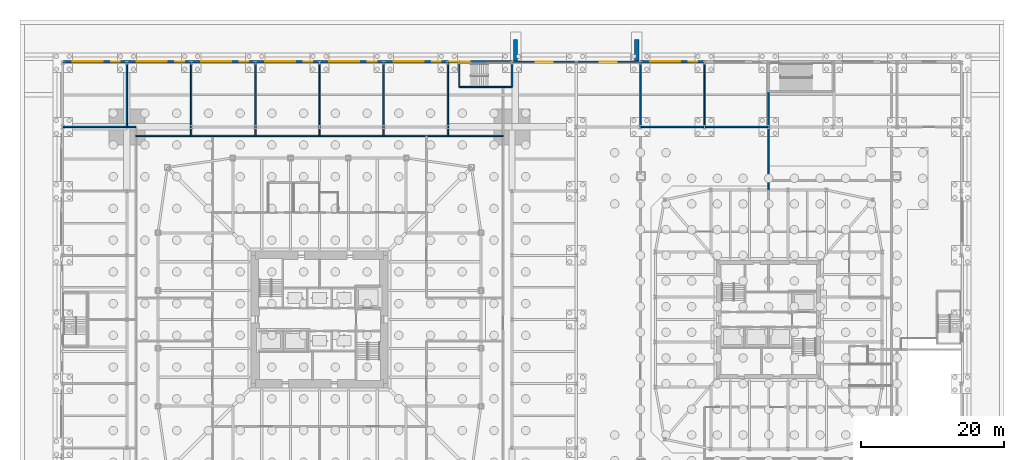
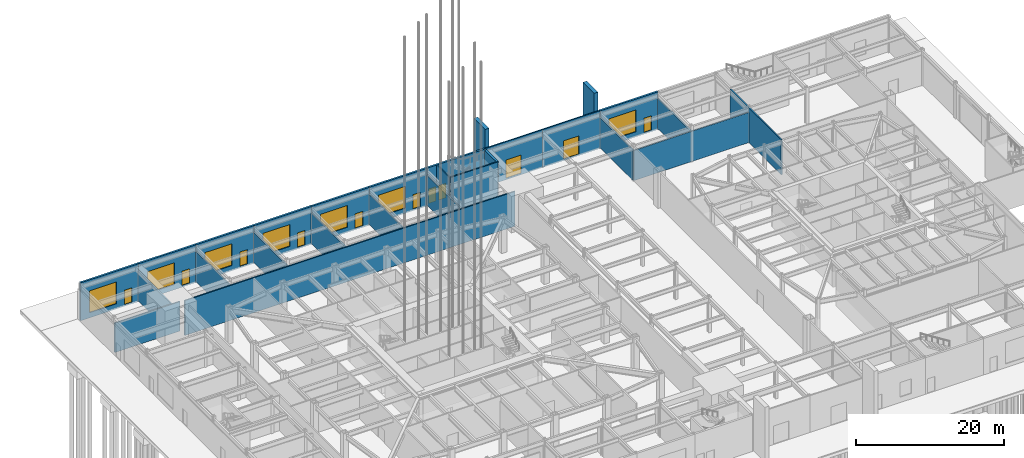
# One storey, part 19 of 37: 27 walls, 11 doors, 7 windows, 18 openings.
"""IFC4 building model written with IfcOpenShell, lengths in metres."""

from ifc_helpers import new_model, si_unit, direction, frame, frame_2d, origin, place, context, subcontext, project, spatial, rectangle, extrude, material, layer, layer_set, type_object, element, fill, save


model = new_model("IFC4")

# Units and contexts
model_context = context("Model", 3, precision=1e-05, world=origin(), true_north=direction((0.0, 1.0)))
body_context = subcontext(model_context, "Body", "Model", "MODEL_VIEW")
ifc_project = project(units=[si_unit("LENGTHUNIT", "METRE"), si_unit("AREAUNIT", "SQUARE_METRE"), si_unit("VOLUMEUNIT", "CUBIC_METRE"), si_unit("PLANEANGLEUNIT", "RADIAN"), si_unit("MASSUNIT", "GRAM", prefix="KILO")], contexts=[model_context])

# Site, building, storey
site_placement = place(None, origin())
site = spatial("IfcSite", under=ifc_project, at=site_placement, CompositionType="ELEMENT")
building_placement = place(site_placement, origin())
building = spatial("IfcBuilding", under=site, at=building_placement, Name="Iwan Alto Co-Living Towers", CompositionType="ELEMENT")
storey_placement = place(building_placement, origin())
storey = spatial("IfcBuildingStorey", under=building, at=storey_placement, Name="L00", CompositionType="ELEMENT", Elevation=0.0)

# Wall, opening, door
ifc_material_1 = material(Name="Bronze aluminium framed glazed screen", Category="aluminium")
ifc_layer_1 = layer(ifc_material_1, 0.199951171875)
ifc_layer_set_1 = layer_set([ifc_layer_1], Name="ENTRANCE SCREEN WALL 200")
wall_type_1 = type_object("IfcWallType", Name="ENTRANCE SCREEN WALL 200", PredefinedType="SOLIDWALL", material=ifc_layer_set_1)
wall_1_placement = place(storey_placement, frame((36.0, 36.14990234375, -0.25), z_axis=(0.0, 0.0, 1.0), x_axis=(-1.0, 0.0, 0.0)))
wall_1 = element("IfcWall", 1, at=wall_1_placement, inside=storey, type_object=wall_type_1, Name="Concourse entrance screen N", PredefinedType="SOLIDWALL", context=body_context, shape_type="SweptSolid", body=[
    extrude(rectangle(XDim=9.0, YDim=0.199951171875, at=frame_2d((4.5, 0.0))), origin(), (0.0, 0.0, 1.0), 6.25),
])
opening_1_placement = place(wall_1_placement, frame((3.300048828125, 0.0, 0.25)))
opening_1 = element("IfcOpeningElement", 2, at=opening_1_placement, cuts=wall_1, Name="Opening DE2", PredefinedType="OPENING", context=body_context, shape_type="SweptSolid", body=[
    extrude(rectangle(XDim=2.39990234375, YDim=3.0, at=frame_2d((1.199951171875, 1.5))), frame((0.0, 0.10986328125, 0.0), z_axis=(0.0, -1.0, 0.0), x_axis=(1.0, 0.0, 0.0)), (0.0, 0.0, 1.0), 0.219970703125),
])
ifc_material_2 = material(Name="Bronze aluminium glazed door", Category="aluminium")
door_type_1 = type_object("IfcDoorType", Name="ENTRANCE DOOR 2400X3000", OperationType="DOUBLE_DOOR_SINGLE_SWING", PredefinedType="DOOR", material=ifc_material_2)
door_1_placement = place(opening_1_placement, frame((2.39990234375, 0.0, 0.0), z_axis=(0.0, 0.0, 1.0), x_axis=(-1.0, 0.0, 0.0)))
door_1 = element("IfcDoor", 3, at=door_1_placement, inside=storey, type_object=door_type_1, Name="Concourse entrance N", OperationType="DOUBLE_DOOR_SINGLE_SWING", OverallHeight=3.0, OverallWidth=2.39990234375, PredefinedType="DOOR", context=body_context, shape_type="SweptSolid", body=[
    extrude(rectangle(XDim=2.39990234375, YDim=3.0, at=frame_2d((1.199951171875, 1.5))), frame((0.0, 0.02490234375, 0.0), z_axis=(0.0, -1.0, 0.0), x_axis=(1.0, 0.0, 0.0)), (0.0, 0.0, 1.0), 0.050048828125),
])
fill(opening_1, door_1)

wall_2_placement = place(storey_placement, frame((45.0, 36.14990234375, -0.25), z_axis=(0.0, 0.0, 1.0), x_axis=(-1.0, 0.0, 0.0)))
wall_2 = element("IfcWall", 4, at=wall_2_placement, inside=storey, type_object=wall_type_1, Name="Concourse entrance screen N", PredefinedType="SOLIDWALL", context=body_context, shape_type="SweptSolid", body=[
    extrude(rectangle(XDim=9.0, YDim=0.199951171875, at=frame_2d((4.5, 0.0))), origin(), (0.0, 0.0, 1.0), 6.25),
])
opening_2_placement = place(wall_2_placement, frame((3.300048828125, 0.0, 0.25)))
opening_2 = element("IfcOpeningElement", 5, at=opening_2_placement, cuts=wall_2, Name="Opening DE2", PredefinedType="OPENING", context=body_context, shape_type="SweptSolid", body=[
    extrude(rectangle(XDim=2.39990234375, YDim=3.0, at=frame_2d((1.199951171875, 1.5))), frame((0.0, 0.10986328125, 0.0), z_axis=(0.0, -1.0, 0.0), x_axis=(1.0, 0.0, 0.0)), (0.0, 0.0, 1.0), 0.219970703125),
])
door_2_placement = place(opening_2_placement, frame((2.39990234375, 0.0, 0.0), z_axis=(0.0, 0.0, 1.0), x_axis=(-1.0, 0.0, 0.0)))
door_2 = element("IfcDoor", 6, at=door_2_placement, inside=storey, type_object=door_type_1, Name="Concourse entrance N", OperationType="DOUBLE_DOOR_SINGLE_SWING", OverallHeight=3.0, OverallWidth=2.39990234375, PredefinedType="DOOR", context=body_context, shape_type="SweptSolid", body=[
    extrude(rectangle(XDim=2.39990234375, YDim=3.0, at=frame_2d((1.199951171875, 1.5))), frame((0.0, 0.02490234375, 0.0), z_axis=(0.0, -1.0, 0.0), x_axis=(1.0, 0.0, 0.0)), (0.0, 0.0, 1.0), 0.050048828125),
])
fill(opening_2, door_2)

# Walls
ifc_material_3 = material(Name="Fired clay brick facing", Category="masonry")
ifc_layer_2 = layer(ifc_material_3, 0.114990234375, Name="Brick facing", Category="Finish")
ifc_material_4 = material(Name="Concrete f'c 35 MPa", Category="concrete")
ifc_layer_3 = layer(ifc_material_4, 0.485107421875, Name="Reinforced concrete", Category="LoadBearing")
ifc_layer_set_2 = layer_set([ifc_layer_2, ifc_layer_3], Name="IWAN PORTAL WALL 600")
wall_type_2 = type_object("IfcWallType", Name="IWAN PORTAL WALL 600", PredefinedType="SOLIDWALL", material=ifc_layer_set_2)
for number, where, z_axis, x_axis, name in (
    (7, (27.505615234375, 36.25, -0.14990234375), (0.0, 0.0, 1.0), (0.0, 1.0, 0.0), "Iwan portal pier N 1"),
    (8, (44.494384765625, 36.25, -0.14990234375), (0.0, 0.0, 1.0), (0.0, 1.0, 0.0), "Iwan portal pier N 2"),
):
    element("IfcWall", number, at=place(storey_placement, frame(where, z_axis=z_axis, x_axis=x_axis)), inside=storey, type_object=wall_type_2, Name=name, PredefinedType="SOLIDWALL", context=body_context, shape_type="SweptSolid", body=[
        extrude(rectangle(XDim=3.050048828125, YDim=0.60009765625, at=frame_2d((1.52490234375, 0.0))), origin(), (0.0, 0.0, 1.0), 9.14990234375),
    ])

# Wall, openings, door, window
ifc_layer_4 = layer(ifc_material_3, 0.10009765625, Name="Brick facing", Category="Finish")
ifc_material_5 = material(Name="Concrete f'c 70 MPa", Category="concrete")
ifc_layer_5 = layer(ifc_material_5, 0.199951171875, Name="Reinforced concrete", Category="LoadBearing")
ifc_layer_set_3 = layer_set([ifc_layer_4, ifc_layer_5], Name="PODIUM BRICK WALL 300")
wall_type_3 = type_object("IfcWallType", Name="PODIUM BRICK WALL 300", PredefinedType="SOLIDWALL", material=ifc_layer_set_3)
wall_3_placement = place(storey_placement, frame((-27.0, 36.14990234375, -0.25), z_axis=(0.0, 0.0, 1.0), x_axis=(-1.0, 0.0, 0.0)))
wall_3 = element("IfcWall", 9, at=wall_3_placement, inside=storey, type_object=wall_type_3, Name="Podium wall N L00", PredefinedType="SOLIDWALL", context=body_context, shape_type="SweptSolid", body=[
    extrude(rectangle(XDim=9.0, YDim=0.300048828125, at=frame_2d((4.5, 0.0))), origin(), (0.0, 0.0, 1.0), 6.25),
])
opening_3_placement = place(wall_3_placement, frame((1.0, 0.0, 0.25)))
opening_3 = element("IfcOpeningElement", 10, at=opening_3_placement, cuts=wall_3, Name="Opening DE1", PredefinedType="OPENING", context=body_context, shape_type="SweptSolid", body=[
    extrude(rectangle(XDim=1.199951171875, YDim=2.39990234375, at=frame_2d((0.60009765625, 1.199951171875))), frame((0.0, 0.159912109375, 0.0), z_axis=(0.0, -1.0, 0.0), x_axis=(1.0, 0.0, 0.0)), (0.0, 0.0, 1.0), 0.320068359375),
])
opening_4_placement = place(wall_3_placement, frame((3.39990234375, 0.0, 0.85009765625)))
opening_4 = element("IfcOpeningElement", 11, at=opening_4_placement, cuts=wall_3, Name="Opening WN2", PredefinedType="OPENING", context=body_context, shape_type="SweptSolid", body=[
    extrude(rectangle(XDim=4.199951171875, YDim=3.60009765625, at=frame_2d((2.10009765625, 1.800048828125))), frame((0.0, 0.159912109375, 0.0), z_axis=(0.0, -1.0, 0.0), x_axis=(1.0, 0.0, 0.0)), (0.0, 0.0, 1.0), 0.320068359375),
])
ifc_material_6 = material(Name="Bronze aluminium glazed door", Category="aluminium")
door_type_2 = type_object("IfcDoorType", Name="SHOP DOOR 1200X2400", OperationType="SINGLE_SWING_LEFT", PredefinedType="DOOR", material=ifc_material_6)
door_3_placement = place(opening_3_placement, frame((1.199951171875, 0.0, 0.0), z_axis=(0.0, 0.0, 1.0), x_axis=(-1.0, 0.0, 0.0)))
door_3 = element("IfcDoor", 12, at=door_3_placement, inside=storey, type_object=door_type_2, Name="Shop door", OperationType="SINGLE_SWING_RIGHT", OverallHeight=2.39990234375, OverallWidth=1.199951171875, PredefinedType="DOOR", context=body_context, shape_type="SweptSolid", body=[
    extrude(rectangle(XDim=1.199951171875, YDim=2.39990234375, at=frame_2d((0.60009765625, 1.199951171875))), frame((0.0, 0.02490234375, 0.0), z_axis=(0.0, -1.0, 0.0), x_axis=(1.0, 0.0, 0.0)), (0.0, 0.0, 1.0), 0.050048828125),
])
fill(opening_3, door_3)
ifc_material_7 = material(Name="Bronze aluminium shopfront frame", Category="aluminium")
window_type = type_object("IfcWindowType", Name="WN2 SHOPFRONT 4200X3600", PartitioningType="SINGLE_PANEL", PredefinedType="WINDOW", material=ifc_material_7)
window_1_placement = place(opening_4_placement, origin())
window_1 = element("IfcWindow", 13, at=window_1_placement, inside=storey, type_object=window_type, Name="Shopfront", OverallHeight=3.60009765625, OverallWidth=4.199951171875, PartitioningType="SINGLE_PANEL", PredefinedType="WINDOW", context=body_context, shape_type="SweptSolid", body=[
    extrude(rectangle(XDim=4.199951171875, YDim=3.60009765625, at=frame_2d((2.10009765625, 1.800048828125))), frame((0.0, 0.030029296875, 0.0), z_axis=(0.0, -1.0, 0.0), x_axis=(1.0, 0.0, 0.0)), (0.0, 0.0, 1.0), 0.06005859375),
])
fill(opening_4, window_1)

wall_4_placement = place(storey_placement, frame((-18.0, 36.14990234375, -0.25), z_axis=(0.0, 0.0, 1.0), x_axis=(-1.0, 0.0, 0.0)))
wall_4 = element("IfcWall", 14, at=wall_4_placement, inside=storey, type_object=wall_type_3, Name="Podium wall N L00", PredefinedType="SOLIDWALL", context=body_context, shape_type="SweptSolid", body=[
    extrude(rectangle(XDim=9.0, YDim=0.300048828125, at=frame_2d((4.5, 0.0))), origin(), (0.0, 0.0, 1.0), 6.25),
])
opening_5_placement = place(wall_4_placement, frame((1.0, 0.0, 0.25)))
opening_5 = element("IfcOpeningElement", 15, at=opening_5_placement, cuts=wall_4, Name="Opening DE1", PredefinedType="OPENING", context=body_context, shape_type="SweptSolid", body=[
    extrude(rectangle(XDim=1.199951171875, YDim=2.39990234375, at=frame_2d((0.60009765625, 1.199951171875))), frame((0.0, 0.159912109375, 0.0), z_axis=(0.0, -1.0, 0.0), x_axis=(1.0, 0.0, 0.0)), (0.0, 0.0, 1.0), 0.320068359375),
])
opening_6_placement = place(wall_4_placement, frame((3.39990234375, 0.0, 0.85009765625)))
opening_6 = element("IfcOpeningElement", 16, at=opening_6_placement, cuts=wall_4, Name="Opening WN2", PredefinedType="OPENING", context=body_context, shape_type="SweptSolid", body=[
    extrude(rectangle(XDim=4.199951171875, YDim=3.60009765625, at=frame_2d((2.10009765625, 1.800048828125))), frame((0.0, 0.159912109375, 0.0), z_axis=(0.0, -1.0, 0.0), x_axis=(1.0, 0.0, 0.0)), (0.0, 0.0, 1.0), 0.320068359375),
])
door_4_placement = place(opening_5_placement, frame((1.199951171875, 0.0, 0.0), z_axis=(0.0, 0.0, 1.0), x_axis=(-1.0, 0.0, 0.0)))
door_4 = element("IfcDoor", 17, at=door_4_placement, inside=storey, type_object=door_type_2, Name="Shop door", OperationType="SINGLE_SWING_RIGHT", OverallHeight=2.39990234375, OverallWidth=1.199951171875, PredefinedType="DOOR", context=body_context, shape_type="SweptSolid", body=[
    extrude(rectangle(XDim=1.199951171875, YDim=2.39990234375, at=frame_2d((0.60009765625, 1.199951171875))), frame((0.0, 0.02490234375, 0.0), z_axis=(0.0, -1.0, 0.0), x_axis=(1.0, 0.0, 0.0)), (0.0, 0.0, 1.0), 0.050048828125),
])
fill(opening_5, door_4)
window_2_placement = place(opening_6_placement, origin())
window_2 = element("IfcWindow", 18, at=window_2_placement, inside=storey, type_object=window_type, Name="Shopfront", OverallHeight=3.60009765625, OverallWidth=4.199951171875, PartitioningType="SINGLE_PANEL", PredefinedType="WINDOW", context=body_context, shape_type="SweptSolid", body=[
    extrude(rectangle(XDim=4.199951171875, YDim=3.60009765625, at=frame_2d((2.10009765625, 1.800048828125))), frame((0.0, 0.030029296875, 0.0), z_axis=(0.0, -1.0, 0.0), x_axis=(1.0, 0.0, 0.0)), (0.0, 0.0, 1.0), 0.06005859375),
])
fill(opening_6, window_2)

wall_5_placement = place(storey_placement, frame((-9.0, 36.14990234375, -0.25), z_axis=(0.0, 0.0, 1.0), x_axis=(-1.0, 0.0, 0.0)))
wall_5 = element("IfcWall", 19, at=wall_5_placement, inside=storey, type_object=wall_type_3, Name="Podium wall N L00", PredefinedType="SOLIDWALL", context=body_context, shape_type="SweptSolid", body=[
    extrude(rectangle(XDim=9.0, YDim=0.300048828125, at=frame_2d((4.5, 0.0))), origin(), (0.0, 0.0, 1.0), 6.25),
])
opening_7_placement = place(wall_5_placement, frame((1.0, 0.0, 0.25)))
opening_7 = element("IfcOpeningElement", 20, at=opening_7_placement, cuts=wall_5, Name="Opening DE1", PredefinedType="OPENING", context=body_context, shape_type="SweptSolid", body=[
    extrude(rectangle(XDim=1.199951171875, YDim=2.39990234375, at=frame_2d((0.60009765625, 1.199951171875))), frame((0.0, 0.159912109375, 0.0), z_axis=(0.0, -1.0, 0.0), x_axis=(1.0, 0.0, 0.0)), (0.0, 0.0, 1.0), 0.320068359375),
])
opening_8_placement = place(wall_5_placement, frame((3.39990234375, 0.0, 0.85009765625)))
opening_8 = element("IfcOpeningElement", 21, at=opening_8_placement, cuts=wall_5, Name="Opening WN2", PredefinedType="OPENING", context=body_context, shape_type="SweptSolid", body=[
    extrude(rectangle(XDim=4.199951171875, YDim=3.60009765625, at=frame_2d((2.10009765625, 1.800048828125))), frame((0.0, 0.159912109375, 0.0), z_axis=(0.0, -1.0, 0.0), x_axis=(1.0, 0.0, 0.0)), (0.0, 0.0, 1.0), 0.320068359375),
])
door_5_placement = place(opening_7_placement, frame((1.199951171875, 0.0, 0.0), z_axis=(0.0, 0.0, 1.0), x_axis=(-1.0, 0.0, 0.0)))
door_5 = element("IfcDoor", 22, at=door_5_placement, inside=storey, type_object=door_type_2, Name="Shop door", OperationType="SINGLE_SWING_RIGHT", OverallHeight=2.39990234375, OverallWidth=1.199951171875, PredefinedType="DOOR", context=body_context, shape_type="SweptSolid", body=[
    extrude(rectangle(XDim=1.199951171875, YDim=2.39990234375, at=frame_2d((0.60009765625, 1.199951171875))), frame((0.0, 0.02490234375, 0.0), z_axis=(0.0, -1.0, 0.0), x_axis=(1.0, 0.0, 0.0)), (0.0, 0.0, 1.0), 0.050048828125),
])
fill(opening_7, door_5)
window_3_placement = place(opening_8_placement, origin())
window_3 = element("IfcWindow", 23, at=window_3_placement, inside=storey, type_object=window_type, Name="Shopfront", OverallHeight=3.60009765625, OverallWidth=4.199951171875, PartitioningType="SINGLE_PANEL", PredefinedType="WINDOW", context=body_context, shape_type="SweptSolid", body=[
    extrude(rectangle(XDim=4.199951171875, YDim=3.60009765625, at=frame_2d((2.10009765625, 1.800048828125))), frame((0.0, 0.030029296875, 0.0), z_axis=(0.0, -1.0, 0.0), x_axis=(1.0, 0.0, 0.0)), (0.0, 0.0, 1.0), 0.06005859375),
])
fill(opening_8, window_3)

wall_6_placement = place(storey_placement, frame((0.0, 36.14990234375, -0.25), z_axis=(0.0, 0.0, 1.0), x_axis=(-1.0, 0.0, 0.0)))
wall_6 = element("IfcWall", 24, at=wall_6_placement, inside=storey, type_object=wall_type_3, Name="Podium wall N L00", PredefinedType="SOLIDWALL", context=body_context, shape_type="SweptSolid", body=[
    extrude(rectangle(XDim=9.0, YDim=0.300048828125, at=frame_2d((4.5, 0.0))), origin(), (0.0, 0.0, 1.0), 6.25),
])
opening_9_placement = place(wall_6_placement, frame((1.0, 0.0, 0.25)))
opening_9 = element("IfcOpeningElement", 25, at=opening_9_placement, cuts=wall_6, Name="Opening DE1", PredefinedType="OPENING", context=body_context, shape_type="SweptSolid", body=[
    extrude(rectangle(XDim=1.199951171875, YDim=2.39990234375, at=frame_2d((0.60009765625, 1.199951171875))), frame((0.0, 0.159912109375, 0.0), z_axis=(0.0, -1.0, 0.0), x_axis=(1.0, 0.0, 0.0)), (0.0, 0.0, 1.0), 0.320068359375),
])
opening_10_placement = place(wall_6_placement, frame((3.39990234375, 0.0, 0.85009765625)))
opening_10 = element("IfcOpeningElement", 26, at=opening_10_placement, cuts=wall_6, Name="Opening WN2", PredefinedType="OPENING", context=body_context, shape_type="SweptSolid", body=[
    extrude(rectangle(XDim=4.199951171875, YDim=3.60009765625, at=frame_2d((2.10009765625, 1.800048828125))), frame((0.0, 0.159912109375, 0.0), z_axis=(0.0, -1.0, 0.0), x_axis=(1.0, 0.0, 0.0)), (0.0, 0.0, 1.0), 0.320068359375),
])
door_6_placement = place(opening_9_placement, frame((1.199951171875, 0.0, 0.0), z_axis=(0.0, 0.0, 1.0), x_axis=(-1.0, 0.0, 0.0)))
door_6 = element("IfcDoor", 27, at=door_6_placement, inside=storey, type_object=door_type_2, Name="Shop door", OperationType="SINGLE_SWING_RIGHT", OverallHeight=2.39990234375, OverallWidth=1.199951171875, PredefinedType="DOOR", context=body_context, shape_type="SweptSolid", body=[
    extrude(rectangle(XDim=1.199951171875, YDim=2.39990234375, at=frame_2d((0.60009765625, 1.199951171875))), frame((0.0, 0.02490234375, 0.0), z_axis=(0.0, -1.0, 0.0), x_axis=(1.0, 0.0, 0.0)), (0.0, 0.0, 1.0), 0.050048828125),
])
fill(opening_9, door_6)
window_4_placement = place(opening_10_placement, origin())
window_4 = element("IfcWindow", 28, at=window_4_placement, inside=storey, type_object=window_type, Name="Shopfront", OverallHeight=3.60009765625, OverallWidth=4.199951171875, PartitioningType="SINGLE_PANEL", PredefinedType="WINDOW", context=body_context, shape_type="SweptSolid", body=[
    extrude(rectangle(XDim=4.199951171875, YDim=3.60009765625, at=frame_2d((2.10009765625, 1.800048828125))), frame((0.0, 0.030029296875, 0.0), z_axis=(0.0, -1.0, 0.0), x_axis=(1.0, 0.0, 0.0)), (0.0, 0.0, 1.0), 0.06005859375),
])
fill(opening_10, window_4)

wall_7_placement = place(storey_placement, frame((9.0, 36.14990234375, -0.25), z_axis=(0.0, 0.0, 1.0), x_axis=(-1.0, 0.0, 0.0)))
wall_7 = element("IfcWall", 29, at=wall_7_placement, inside=storey, type_object=wall_type_3, Name="Podium wall N L00", PredefinedType="SOLIDWALL", context=body_context, shape_type="SweptSolid", body=[
    extrude(rectangle(XDim=9.0, YDim=0.300048828125, at=frame_2d((4.5, 0.0))), origin(), (0.0, 0.0, 1.0), 6.25),
])
opening_11_placement = place(wall_7_placement, frame((1.0, 0.0, 0.25)))
opening_11 = element("IfcOpeningElement", 30, at=opening_11_placement, cuts=wall_7, Name="Opening DE1", PredefinedType="OPENING", context=body_context, shape_type="SweptSolid", body=[
    extrude(rectangle(XDim=1.199951171875, YDim=2.39990234375, at=frame_2d((0.60009765625, 1.199951171875))), frame((0.0, 0.159912109375, 0.0), z_axis=(0.0, -1.0, 0.0), x_axis=(1.0, 0.0, 0.0)), (0.0, 0.0, 1.0), 0.320068359375),
])
opening_12_placement = place(wall_7_placement, frame((3.39990234375, 0.0, 0.85009765625)))
opening_12 = element("IfcOpeningElement", 31, at=opening_12_placement, cuts=wall_7, Name="Opening WN2", PredefinedType="OPENING", context=body_context, shape_type="SweptSolid", body=[
    extrude(rectangle(XDim=4.199951171875, YDim=3.60009765625, at=frame_2d((2.10009765625, 1.800048828125))), frame((0.0, 0.159912109375, 0.0), z_axis=(0.0, -1.0, 0.0), x_axis=(1.0, 0.0, 0.0)), (0.0, 0.0, 1.0), 0.320068359375),
])
door_7_placement = place(opening_11_placement, frame((1.199951171875, 0.0, 0.0), z_axis=(0.0, 0.0, 1.0), x_axis=(-1.0, 0.0, 0.0)))
door_7 = element("IfcDoor", 32, at=door_7_placement, inside=storey, type_object=door_type_2, Name="Shop door", OperationType="SINGLE_SWING_RIGHT", OverallHeight=2.39990234375, OverallWidth=1.199951171875, PredefinedType="DOOR", context=body_context, shape_type="SweptSolid", body=[
    extrude(rectangle(XDim=1.199951171875, YDim=2.39990234375, at=frame_2d((0.60009765625, 1.199951171875))), frame((0.0, 0.02490234375, 0.0), z_axis=(0.0, -1.0, 0.0), x_axis=(1.0, 0.0, 0.0)), (0.0, 0.0, 1.0), 0.050048828125),
])
fill(opening_11, door_7)
window_5_placement = place(opening_12_placement, origin())
window_5 = element("IfcWindow", 33, at=window_5_placement, inside=storey, type_object=window_type, Name="Shopfront", OverallHeight=3.60009765625, OverallWidth=4.199951171875, PartitioningType="SINGLE_PANEL", PredefinedType="WINDOW", context=body_context, shape_type="SweptSolid", body=[
    extrude(rectangle(XDim=4.199951171875, YDim=3.60009765625, at=frame_2d((2.10009765625, 1.800048828125))), frame((0.0, 0.030029296875, 0.0), z_axis=(0.0, -1.0, 0.0), x_axis=(1.0, 0.0, 0.0)), (0.0, 0.0, 1.0), 0.06005859375),
])
fill(opening_12, window_5)

wall_8_placement = place(storey_placement, frame((18.0, 36.14990234375, -0.25), z_axis=(0.0, 0.0, 1.0), x_axis=(-1.0, 0.0, 0.0)))
wall_8 = element("IfcWall", 34, at=wall_8_placement, inside=storey, type_object=wall_type_3, Name="Podium wall N L00", PredefinedType="SOLIDWALL", context=body_context, shape_type="SweptSolid", body=[
    extrude(rectangle(XDim=9.0, YDim=0.300048828125, at=frame_2d((4.5, 0.0))), origin(), (0.0, 0.0, 1.0), 6.25),
])
opening_13_placement = place(wall_8_placement, frame((1.0, 0.0, 0.25)))
opening_13 = element("IfcOpeningElement", 35, at=opening_13_placement, cuts=wall_8, Name="Opening DE1", PredefinedType="OPENING", context=body_context, shape_type="SweptSolid", body=[
    extrude(rectangle(XDim=1.199951171875, YDim=2.39990234375, at=frame_2d((0.60009765625, 1.199951171875))), frame((0.0, 0.159912109375, 0.0), z_axis=(0.0, -1.0, 0.0), x_axis=(1.0, 0.0, 0.0)), (0.0, 0.0, 1.0), 0.320068359375),
])
opening_14_placement = place(wall_8_placement, frame((3.39990234375, 0.0, 0.85009765625)))
opening_14 = element("IfcOpeningElement", 36, at=opening_14_placement, cuts=wall_8, Name="Opening WN2", PredefinedType="OPENING", context=body_context, shape_type="SweptSolid", body=[
    extrude(rectangle(XDim=4.199951171875, YDim=3.60009765625, at=frame_2d((2.10009765625, 1.800048828125))), frame((0.0, 0.159912109375, 0.0), z_axis=(0.0, -1.0, 0.0), x_axis=(1.0, 0.0, 0.0)), (0.0, 0.0, 1.0), 0.320068359375),
])
door_8_placement = place(opening_13_placement, frame((1.199951171875, 0.0, 0.0), z_axis=(0.0, 0.0, 1.0), x_axis=(-1.0, 0.0, 0.0)))
door_8 = element("IfcDoor", 37, at=door_8_placement, inside=storey, type_object=door_type_2, Name="Shop door", OperationType="SINGLE_SWING_RIGHT", OverallHeight=2.39990234375, OverallWidth=1.199951171875, PredefinedType="DOOR", context=body_context, shape_type="SweptSolid", body=[
    extrude(rectangle(XDim=1.199951171875, YDim=2.39990234375, at=frame_2d((0.60009765625, 1.199951171875))), frame((0.0, 0.02490234375, 0.0), z_axis=(0.0, -1.0, 0.0), x_axis=(1.0, 0.0, 0.0)), (0.0, 0.0, 1.0), 0.050048828125),
])
fill(opening_13, door_8)
window_6_placement = place(opening_14_placement, origin())
window_6 = element("IfcWindow", 38, at=window_6_placement, inside=storey, type_object=window_type, Name="Shopfront", OverallHeight=3.60009765625, OverallWidth=4.199951171875, PartitioningType="SINGLE_PANEL", PredefinedType="WINDOW", context=body_context, shape_type="SweptSolid", body=[
    extrude(rectangle(XDim=4.199951171875, YDim=3.60009765625, at=frame_2d((2.10009765625, 1.800048828125))), frame((0.0, 0.030029296875, 0.0), z_axis=(0.0, -1.0, 0.0), x_axis=(1.0, 0.0, 0.0)), (0.0, 0.0, 1.0), 0.06005859375),
])
fill(opening_14, window_6)

# Wall, openings, doors
wall_9_placement = place(storey_placement, frame((27.0, 36.14990234375, -0.25), z_axis=(0.0, 0.0, 1.0), x_axis=(-1.0, 0.0, 0.0)))
wall_9 = element("IfcWall", 39, at=wall_9_placement, inside=storey, type_object=wall_type_3, Name="Podium wall N L00", PredefinedType="SOLIDWALL", context=body_context, shape_type="SweptSolid", body=[
    extrude(rectangle(XDim=9.0, YDim=0.300048828125, at=frame_2d((4.5, 0.0))), origin(), (0.0, 0.0, 1.0), 6.25),
])
opening_15_placement = place(wall_9_placement, frame((7.5, 0.0, 0.25)))
opening_15 = element("IfcOpeningElement", 40, at=opening_15_placement, cuts=wall_9, Name="Opening DE1", PredefinedType="OPENING", context=body_context, shape_type="SweptSolid", body=[
    extrude(rectangle(XDim=1.199951171875, YDim=2.39990234375, at=frame_2d((0.60009765625, 1.199951171875))), frame((0.0, 0.159912109375, 0.0), z_axis=(0.0, -1.0, 0.0), x_axis=(1.0, 0.0, 0.0)), (0.0, 0.0, 1.0), 0.320068359375),
])
opening_16_placement = place(wall_9_placement, frame((5.949951171875, 0.0, 0.25)))
opening_16 = element("IfcOpeningElement", 41, at=opening_16_placement, cuts=wall_9, Name="Opening DE3", PredefinedType="OPENING", context=body_context, shape_type="SweptSolid", body=[
    extrude(rectangle(XDim=1.199951171875, YDim=2.39990234375, at=frame_2d((0.60009765625, 1.199951171875))), frame((0.0, 0.159912109375, 0.0), z_axis=(0.0, -1.0, 0.0), x_axis=(1.0, 0.0, 0.0)), (0.0, 0.0, 1.0), 0.320068359375),
])
ifc_material_8 = material(Name="Steel door", Category="steel")
door_type_3 = type_object("IfcDoorType", Name="EXIT DOOR FD60 1200X2400", OperationType="SINGLE_SWING_LEFT", PredefinedType="DOOR", material=ifc_material_8)
door_9_placement = place(opening_16_placement, frame((1.199951171875, 0.0, 0.0), z_axis=(0.0, 0.0, 1.0), x_axis=(-1.0, 0.0, 0.0)))
door_9 = element("IfcDoor", 42, at=door_9_placement, inside=storey, type_object=door_type_3, Name="Stair PS3 exit door", OperationType="SINGLE_SWING_LEFT", OverallHeight=2.39990234375, OverallWidth=1.199951171875, PredefinedType="DOOR", context=body_context, shape_type="SweptSolid", body=[
    extrude(rectangle(XDim=1.199951171875, YDim=2.39990234375, at=frame_2d((0.60009765625, 1.199951171875))), frame((0.0, 0.02490234375, 0.0), z_axis=(0.0, -1.0, 0.0), x_axis=(1.0, 0.0, 0.0)), (0.0, 0.0, 1.0), 0.050048828125),
])
fill(opening_16, door_9)
door_10_placement = place(opening_15_placement, frame((1.199951171875, 0.0, 0.0), z_axis=(0.0, 0.0, 1.0), x_axis=(-1.0, 0.0, 0.0)))
door_10 = element("IfcDoor", 43, at=door_10_placement, inside=storey, type_object=door_type_2, Name="Shop door", OperationType="SINGLE_SWING_LEFT", OverallHeight=2.39990234375, OverallWidth=1.199951171875, PredefinedType="DOOR", context=body_context, shape_type="SweptSolid", body=[
    extrude(rectangle(XDim=1.199951171875, YDim=2.39990234375, at=frame_2d((0.60009765625, 1.199951171875))), frame((0.0, 0.02490234375, 0.0), z_axis=(0.0, -1.0, 0.0), x_axis=(1.0, 0.0, 0.0)), (0.0, 0.0, 1.0), 0.050048828125),
])
fill(opening_15, door_10)

# Wall, openings, door, window
wall_10_placement = place(storey_placement, frame((54.0, 36.14990234375, -0.25), z_axis=(0.0, 0.0, 1.0), x_axis=(-1.0, 0.0, 0.0)))
wall_10 = element("IfcWall", 44, at=wall_10_placement, inside=storey, type_object=wall_type_3, Name="Podium wall N L00", PredefinedType="SOLIDWALL", context=body_context, shape_type="SweptSolid", body=[
    extrude(rectangle(XDim=9.0, YDim=0.300048828125, at=frame_2d((4.5, 0.0))), origin(), (0.0, 0.0, 1.0), 6.25),
])
opening_17_placement = place(wall_10_placement, frame((1.0, 0.0, 0.25)))
opening_17 = element("IfcOpeningElement", 45, at=opening_17_placement, cuts=wall_10, Name="Opening DE1", PredefinedType="OPENING", context=body_context, shape_type="SweptSolid", body=[
    extrude(rectangle(XDim=1.199951171875, YDim=2.39990234375, at=frame_2d((0.60009765625, 1.199951171875))), frame((0.0, 0.159912109375, 0.0), z_axis=(0.0, -1.0, 0.0), x_axis=(1.0, 0.0, 0.0)), (0.0, 0.0, 1.0), 0.320068359375),
])
opening_18_placement = place(wall_10_placement, frame((3.39990234375, 0.0, 0.85009765625)))
opening_18 = element("IfcOpeningElement", 46, at=opening_18_placement, cuts=wall_10, Name="Opening WN2", PredefinedType="OPENING", context=body_context, shape_type="SweptSolid", body=[
    extrude(rectangle(XDim=4.199951171875, YDim=3.60009765625, at=frame_2d((2.10009765625, 1.800048828125))), frame((0.0, 0.159912109375, 0.0), z_axis=(0.0, -1.0, 0.0), x_axis=(1.0, 0.0, 0.0)), (0.0, 0.0, 1.0), 0.320068359375),
])
door_11_placement = place(opening_17_placement, frame((1.199951171875, 0.0, 0.0), z_axis=(0.0, 0.0, 1.0), x_axis=(-1.0, 0.0, 0.0)))
door_11 = element("IfcDoor", 47, at=door_11_placement, inside=storey, type_object=door_type_2, Name="Shop door", OperationType="SINGLE_SWING_RIGHT", OverallHeight=2.39990234375, OverallWidth=1.199951171875, PredefinedType="DOOR", context=body_context, shape_type="SweptSolid", body=[
    extrude(rectangle(XDim=1.199951171875, YDim=2.39990234375, at=frame_2d((0.60009765625, 1.199951171875))), frame((0.0, 0.02490234375, 0.0), z_axis=(0.0, -1.0, 0.0), x_axis=(1.0, 0.0, 0.0)), (0.0, 0.0, 1.0), 0.050048828125),
])
fill(opening_17, door_11)
window_7_placement = place(opening_18_placement, origin())
window_7 = element("IfcWindow", 48, at=window_7_placement, inside=storey, type_object=window_type, Name="Shopfront", OverallHeight=3.60009765625, OverallWidth=4.199951171875, PartitioningType="SINGLE_PANEL", PredefinedType="WINDOW", context=body_context, shape_type="SweptSolid", body=[
    extrude(rectangle(XDim=4.199951171875, YDim=3.60009765625, at=frame_2d((2.10009765625, 1.800048828125))), frame((0.0, 0.030029296875, 0.0), z_axis=(0.0, -1.0, 0.0), x_axis=(1.0, 0.0, 0.0)), (0.0, 0.0, 1.0), 0.06005859375),
])
fill(opening_18, window_7)

# Walls
ifc_material_9 = material(Name="Concrete block masonry f*p 10 MPa", Category="masonry")
ifc_layer_6 = layer(ifc_material_9, 0.199951171875)
ifc_layer_set_4 = layer_set([ifc_layer_6], Name="PODIUM INTERNAL WALL 200")
wall_type_4 = type_object("IfcWallType", Name="PODIUM INTERNAL WALL 200", PredefinedType="SOLIDWALL", material=ifc_layer_set_4)
wall_11_placement = place(storey_placement, frame((-25.75, 25.75, 0.0), z_axis=(0.0, 0.0, 1.0), x_axis=(1.0, 0.0, 0.0)))
element("IfcWall", 49, at=wall_11_placement, inside=storey, type_object=wall_type_4, Name="Partition L00", PredefinedType="SOLIDWALL", context=body_context, shape_type="SweptSolid", body=[
    extrude(rectangle(XDim=51.5, YDim=0.199951171875, at=frame_2d((25.75, 0.0))), origin(), (0.0, 0.0, 1.0), 5.75),
])
wall_12_placement = place(storey_placement, frame((-35.93994140625, 27.0, 0.0), z_axis=(0.0, 0.0, 1.0), x_axis=(1.0, 0.0, 0.0)))
element("IfcWall", 50, at=wall_12_placement, inside=storey, type_object=wall_type_4, Name="Partition L00", PredefinedType="SOLIDWALL", context=body_context, shape_type="SweptSolid", body=[
    extrude(rectangle(XDim=10.18994140625, YDim=0.199951171875, at=frame_2d((5.094970703125, 0.0))), origin(), (0.0, 0.0, 1.0), 4.85009765625),
])
wall_13_placement = place(storey_placement, frame((45.0, 27.0, 0.0), z_axis=(0.0, 0.0, 1.0), x_axis=(1.0, 0.0, 0.0)))
element("IfcWall", 51, at=wall_13_placement, inside=storey, type_object=wall_type_4, Name="Partition L00", PredefinedType="SOLIDWALL", context=body_context, shape_type="SweptSolid", body=[
    extrude(rectangle(XDim=18.0, YDim=0.199951171875, at=frame_2d((9.0, 0.0))), origin(), (0.0, 0.0, 1.0), 4.98046875),
])
wall_14_placement = place(storey_placement, frame((54.0, 27.0, 0.0), z_axis=(0.0, 0.0, 1.0), x_axis=(0.0, 1.0, 0.0)))
element("IfcWall", 52, at=wall_14_placement, inside=storey, type_object=wall_type_4, Name="Partition L00", PredefinedType="SOLIDWALL", context=body_context, shape_type="SweptSolid", body=[
    extrude(rectangle(XDim=8.93994140625, YDim=0.199951171875, at=frame_2d((4.469970703125, 0.0))), origin(), (0.0, 0.0, 1.0), 4.98046875),
])
for number, where, z_axis, x_axis, name in (
    (53, (18.0, 25.75, 0.0), (0.0, 0.0, 1.0), (0.0, 1.0, 0.0), "Partition L00"),
    (54, (9.0, 25.75, 0.0), (0.0, 0.0, 1.0), (0.0, 1.0, 0.0), "Partition L00"),
    (55, (0.0, 25.75, 0.0), (0.0, 0.0, 1.0), (0.0, 1.0, 0.0), "Partition L00"),
    (56, (-9.0, 25.75, 0.0), (0.0, 0.0, 1.0), (0.0, 1.0, 0.0), "Partition L00"),
    (57, (-18.0, 25.75, 0.0), (0.0, 0.0, 1.0), (0.0, 1.0, 0.0), "Partition L00"),
):
    element("IfcWall", number, at=place(storey_placement, frame(where, z_axis=z_axis, x_axis=x_axis)), inside=storey, type_object=wall_type_4, Name=name, PredefinedType="SOLIDWALL", context=body_context, shape_type="SweptSolid", body=[
        extrude(rectangle(XDim=10.18994140625, YDim=0.199951171875, at=frame_2d((5.094970703125, 0.0))), origin(), (0.0, 0.0, 1.0), 4.98046875),
    ])
wall_15_placement = place(storey_placement, frame((-27.0, 27.0, 0.0), z_axis=(0.0, 0.0, 1.0), x_axis=(0.0, 1.0, 0.0)))
element("IfcWall", 58, at=wall_15_placement, inside=storey, type_object=wall_type_4, Name="Partition L00", PredefinedType="SOLIDWALL", context=body_context, shape_type="SweptSolid", body=[
    extrude(rectangle(XDim=8.93994140625, YDim=0.199951171875, at=frame_2d((4.469970703125, 0.0))), origin(), (0.0, 0.0, 1.0), 4.85009765625),
])
wall_16_placement = place(storey_placement, frame((63.0, 18.14990234375, 0.0), z_axis=(0.0, 0.0, 1.0), x_axis=(0.0, 1.0, 0.0)))
element("IfcWall", 59, at=wall_16_placement, inside=storey, type_object=wall_type_4, Name="Partition L00", PredefinedType="SOLIDWALL", context=body_context, shape_type="SweptSolid", body=[
    extrude(rectangle(XDim=13.81005859375, YDim=0.199951171875, at=frame_2d((6.905029296875, 0.0))), origin(), (0.0, 0.0, 1.0), 5.75),
])
wall_17_placement = place(storey_placement, frame((45.0, 27.0, 0.0), z_axis=(0.0, 0.0, 1.0), x_axis=(0.0, 1.0, 0.0)))
element("IfcWall", 60, at=wall_17_placement, inside=storey, type_object=wall_type_4, Name="Partition L00", PredefinedType="SOLIDWALL", context=body_context, shape_type="SweptSolid", body=[
    extrude(rectangle(XDim=8.93994140625, YDim=0.199951171875, at=frame_2d((4.469970703125, 0.0))), origin(), (0.0, 0.0, 1.0), 4.98046875),
])
ifc_material_10 = material(Name="Concrete f'c 70 MPa", Category="concrete")
ifc_layer_7 = layer(ifc_material_10, 0.199951171875)
ifc_layer_set_5 = layer_set([ifc_layer_7], Name="SHAFT WALL 200")
wall_type_5 = type_object("IfcWallType", Name="SHAFT WALL 200", PredefinedType="SOLIDWALL", material=ifc_layer_set_5)
wall_18_placement = place(storey_placement, frame((19.60009765625, 32.60009765625, 0.0), z_axis=(0.0, 0.0, 1.0), x_axis=(1.0, 0.0, 0.0)))
element("IfcWall", 61, at=wall_18_placement, inside=storey, type_object=wall_type_5, Name="Shaft wall L00", PredefinedType="SOLIDWALL", context=body_context, shape_type="SweptSolid", body=[
    extrude(rectangle(XDim=7.39990234375, YDim=0.199951171875, at=frame_2d((3.699951171875, 0.0))), origin(), (0.0, 0.0, 1.0), 6.0),
])
wall_19_placement = place(storey_placement, frame((19.60009765625, 32.60009765625, 0.0), z_axis=(0.0, 0.0, 1.0), x_axis=(0.0, 1.0, 0.0)))
element("IfcWall", 62, at=wall_19_placement, inside=storey, type_object=wall_type_5, Name="Shaft wall L00", PredefinedType="SOLIDWALL", context=body_context, shape_type="SweptSolid", body=[
    extrude(rectangle(XDim=3.39990234375, YDim=0.199951171875, at=frame_2d((1.699951171875, 0.0))), origin(), (0.0, 0.0, 1.0), 6.0),
])
ifc_material_11 = material(Name="Concrete f'c 70 MPa", Category="concrete")
ifc_layer_8 = layer(ifc_material_11, 0.300048828125)
ifc_layer_set_6 = layer_set([ifc_layer_8], Name="SHAFT WALL 300")
wall_type_6 = type_object("IfcWallType", Name="SHAFT WALL 300", PredefinedType="SOLIDWALL", material=ifc_layer_set_6)
wall_20_placement = place(storey_placement, frame((27.0, 32.60009765625, 0.0), z_axis=(0.0, 0.0, 1.0), x_axis=(0.0, 1.0, 0.0)))
element("IfcWall", 63, at=wall_20_placement, inside=storey, type_object=wall_type_6, Name="Shaft wall L00", PredefinedType="SOLIDWALL", context=body_context, shape_type="SweptSolid", body=[
    extrude(rectangle(XDim=3.1826171875, YDim=0.300048828125, at=frame_2d((1.59130859375, 0.0))), origin(), (0.0, 0.0, 1.0), 6.0),
])

save(model, "model.ifc")
